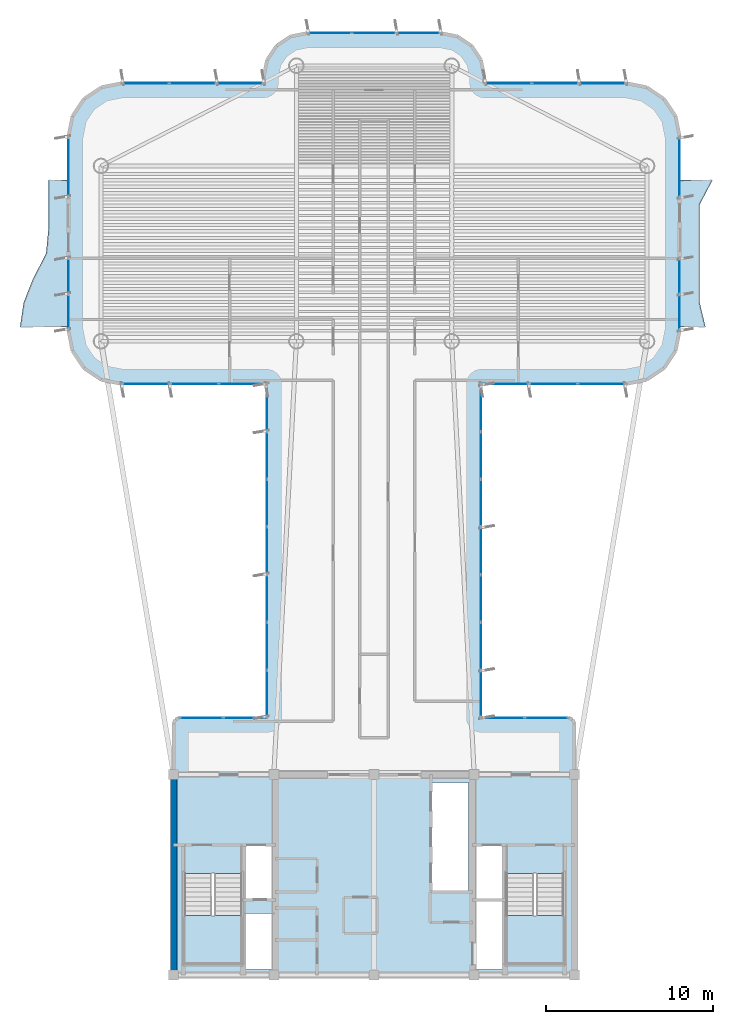
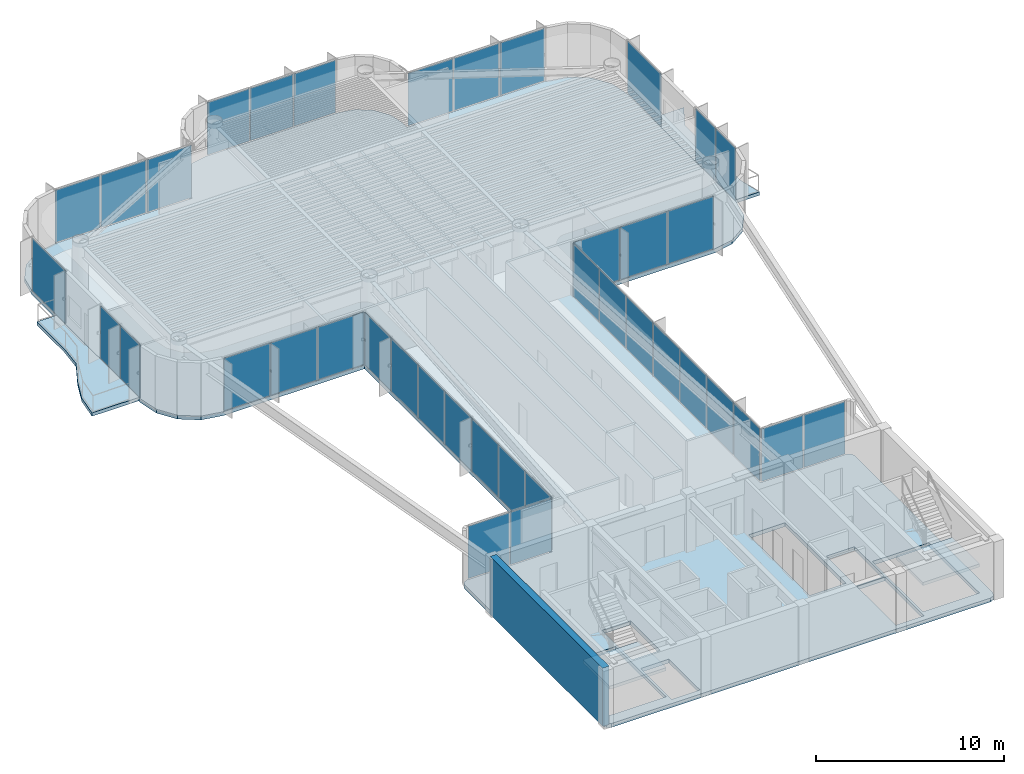
# One storey, part 9 of 15: 39 plates, 5 slabs, 1 wall, 15 elements without a shape of their own.
"""IFC4 building model written with IfcOpenShell, lengths in metres."""

from ifc_helpers import new_model, si_unit, direction, frame, frame_2d, origin, origin_2d, place, context, subcontext, project, spatial, polyline, rectangle, outline, extrude, source, transform, mapped, material, layer, layer_set, type_object, element, aggregate, save


model = new_model("IFC4")

# Units and contexts
model_context = context("Model", 3, precision=1e-05, world=origin(), true_north=direction((0.0, 1.0)))
body_context = subcontext(model_context, "Body", "Model", "MODEL_VIEW")
ifc_project = project(units=[si_unit("LENGTHUNIT", "METRE"), si_unit("AREAUNIT", "SQUARE_METRE"), si_unit("VOLUMEUNIT", "CUBIC_METRE"), si_unit("PLANEANGLEUNIT", "RADIAN"), si_unit("MASSUNIT", "GRAM", prefix="KILO")], contexts=[model_context])

# Site, building, storey
site_placement = place(None, origin())
site = spatial("IfcSite", under=ifc_project, at=site_placement, CompositionType="ELEMENT")
building_placement = place(site_placement, origin())
building = spatial("IfcBuilding", under=site, at=building_placement, Name="Brelvock Crest Care Tower", CompositionType="ELEMENT")
storey_placement = place(building_placement, frame((0.0, 0.0, 245.699951171875)))
storey = spatial("IfcBuildingStorey", under=building, at=storey_placement, Name="L62", CompositionType="ELEMENT", Elevation=245.699951171875)

# Slabs
ifc_material_1 = material(Name="Concrete N50 (50 MPa)", Category="concrete")
ifc_layer_1 = layer(ifc_material_1, 0.25, Name="SLB-FL3")
ifc_layer_set_1 = layer_set([ifc_layer_1], Name="Concrete N50 (50 MPa)")
slab_type_1 = type_object("IfcSlabType", Name="SLB-FL3", PredefinedType="FLOOR", material=ifc_layer_set_1)
slab_1_placement = place(storey_placement, frame((0.0, 0.0, -0.25)))
element("IfcSlab", 1, at=slab_1_placement, inside=storey, type_object=slab_type_1, Name="L62 Main Structural Slab", PredefinedType="FLOOR", context=body_context, shape_type="SweptSolid", body=[
    extrude(outline(polyline([(47.64990234375, 21.39990234375), (42.39990234375, 21.39990234375), (42.39990234375, 41.39990234375), (51.10009765625, 41.39990234375), (52.32470703125, 41.6435546875), (53.36279296875, 42.33740234375), (54.056396484375, 43.37548828125), (54.300048828125, 44.60009765625), (54.300048828125, 56.199951171875), (54.056396484375, 57.424560546875), (53.36279296875, 58.462646484375), (52.32470703125, 59.156494140625), (51.10009765625, 59.39990234375), (42.60009765625, 59.39990234375), (42.60009765625, 59.800048828125), (42.402099609375, 60.794921875), (41.83837890625, 61.638427734375), (40.9951171875, 62.2021484375), (40.0, 62.39990234375), (32.0, 62.39990234375), (31.0048828125, 62.2021484375), (30.16162109375, 61.638427734375), (29.597900390625, 60.794921875), (29.39990234375, 59.800048828125), (29.39990234375, 59.39990234375), (20.89990234375, 59.39990234375), (19.67529296875, 59.156494140625), (18.63720703125, 58.462646484375), (17.943603515625, 57.424560546875), (17.699951171875, 56.199951171875), (17.699951171875, 44.60009765625), (17.943603515625, 43.37548828125), (18.63720703125, 42.33740234375), (19.67529296875, 41.6435546875), (20.89990234375, 41.39990234375), (29.60009765625, 41.39990234375), (29.60009765625, 21.39990234375), (24.35009765625, 21.39990234375), (24.1025390625, 21.297607421875), (24.0, 21.050048828125), (24.0, 6.35009765625), (24.1025390625, 6.1025390625), (24.35009765625, 6.0), (47.64990234375, 6.0), (47.8974609375, 6.1025390625), (48.0, 6.35009765625), (48.0, 21.050048828125), (47.8974609375, 21.297607421875), (47.64990234375, 21.39990234375)]), holes=[polyline([(28.239990234375, 10.580078125), (29.97998046875, 10.580078125), (29.97998046875, 13.739990234375), (28.239990234375, 13.739990234375), (28.239990234375, 10.580078125)]), polyline([(42.02001953125, 10.580078125), (43.760009765625, 10.580078125), (43.760009765625, 13.739990234375), (42.02001953125, 13.739990234375), (42.02001953125, 10.580078125)]), polyline([(28.239990234375, 6.340087890625), (29.97998046875, 6.340087890625), (29.97998046875, 9.64990234375), (28.239990234375, 9.64990234375), (28.239990234375, 6.340087890625)]), polyline([(24.6298828125, 12.080078125), (24.6298828125, 6.699951171875), (28.110107421875, 6.699951171875), (28.110107421875, 12.080078125), (24.6298828125, 12.080078125)]), polyline([(43.889892578125, 12.080078125), (43.889892578125, 6.699951171875), (47.3701171875, 6.699951171875), (47.3701171875, 12.080078125), (43.889892578125, 12.080078125)]), polyline([(42.02001953125, 6.340087890625), (43.760009765625, 6.340087890625), (43.760009765625, 10.5), (42.02001953125, 10.5), (42.02001953125, 6.340087890625)]), polyline([(39.429931640625, 11.030029296875), (41.669921875, 11.030029296875), (41.669921875, 17.52001953125), (39.429931640625, 17.52001953125), (39.429931640625, 11.030029296875)])]), origin(), (0.0, 0.0, 1.0), 0.25),
])
ifc_layer_2 = layer(ifc_material_1, 0.219970703125, Name="SLB-WB1")
ifc_layer_set_2 = layer_set([ifc_layer_2], Name="Concrete N50 (50 MPa)")
slab_type_2 = type_object("IfcSlabType", Name="SLB-WB1", PredefinedType="FLOOR", material=ifc_layer_set_2)
slab_2_placement = place(storey_placement, frame((0.0, 0.0, -0.219970703125)))
element("IfcSlab", 2, at=slab_2_placement, inside=storey, type_object=slab_type_2, Name="L62 W Sinusoidal Wave Balcony Slab", PredefinedType="FLOOR", context=body_context, shape_type="SweptSolid", body=[
    extrude(outline(polyline([(17.699951171875, 53.60009765625), (16.5, 53.60009765625), (16.5, 52.13330078125), (16.5, 50.666748046875), (16.361083984375, 49.199951171875), (15.600830078125, 47.7333984375), (15.017822265625, 46.2666015625), (14.800048828125, 44.800048828125), (17.699951171875, 44.800048828125), (17.699951171875, 53.60009765625)])), origin(), (0.0, 0.0, 1.0), 0.219970703125),
])
slab_3_placement = place(storey_placement, frame((0.0, 0.0, -0.219970703125)))
element("IfcSlab", 3, at=slab_3_placement, inside=storey, type_object=slab_type_2, Name="L62 E Sinusoidal Wave Balcony Slab", PredefinedType="FLOOR", context=body_context, shape_type="SweptSolid", body=[
    extrude(outline(polyline([(54.300048828125, 44.800048828125), (55.85009765625, 44.800048828125), (55.5, 46.2666015625), (55.5, 47.7333984375), (55.5, 49.199951171875), (55.5, 50.666748046875), (55.50048828125, 52.13330078125), (56.26708984375, 53.60009765625), (54.300048828125, 53.60009765625), (54.300048828125, 44.800048828125)])), origin(), (0.0, 0.0, 1.0), 0.219970703125),
])

# Stair, slab
ifc_material_2 = material(Name="Concrete N40 (40 MPa)", Category="concrete")
stair_type = type_object("IfcStairType", Name="ST-CORE1", PredefinedType="HALF_TURN_STAIR", material=ifc_material_2)
stair_1_placement = place(storey_placement, origin())
stair_1 = element("IfcStair", 4, at=stair_1_placement, inside=storey, type_object=stair_type, Name="L62 Fire-Isolated Core Stair ST-1", PredefinedType="HALF_TURN_STAIR")
ifc_layer_3 = layer(ifc_material_2, 0.199951171875, Name="STL-1")
ifc_layer_set_3 = layer_set([ifc_layer_3], Name="Concrete N40 (40 MPa)")
slab_type_3 = type_object("IfcSlabType", Name="STL-1", PredefinedType="LANDING", material=ifc_layer_set_3)
slab_4_placement = place(storey_placement, frame((0.0, 0.0, 1.68994140625)))
slab_4 = element("IfcSlab", 5, at=slab_4_placement, type_object=slab_type_3, Name="ST-1 landing 1", PredefinedType="LANDING", context=body_context, shape_type="SweptSolid", body=[
    extrude(outline(polyline([(24.6298828125, 9.56005859375), (24.6298828125, 6.699951171875), (28.110107421875, 6.699951171875), (28.110107421875, 9.56005859375), (24.6298828125, 9.56005859375)])), origin(), (0.0, 0.0, 1.0), 0.2001953125),
])
aggregate(stair_1, [slab_4])

stair_2_placement = place(storey_placement, origin())
stair_2 = element("IfcStair", 6, at=stair_2_placement, inside=storey, type_object=stair_type, Name="L62 Fire-Isolated Core Stair ST-2", PredefinedType="HALF_TURN_STAIR")
slab_5_placement = place(storey_placement, frame((0.0, 0.0, 1.68994140625)))
slab_5 = element("IfcSlab", 7, at=slab_5_placement, type_object=slab_type_3, Name="ST-2 landing 1", PredefinedType="LANDING", context=body_context, shape_type="SweptSolid", body=[
    extrude(outline(polyline([(43.889892578125, 9.56005859375), (43.889892578125, 6.699951171875), (47.3701171875, 6.699951171875), (47.3701171875, 9.56005859375), (43.889892578125, 9.56005859375)])), origin(), (0.0, 0.0, 1.0), 0.2001953125),
])
aggregate(stair_2, [slab_5])

# Curtain wall, plates
ifc_material_3 = material(Name="Dark Glass Double Glazed Low-E", Category="glass")
ifc_layer_4 = layer(ifc_material_3, 0.239990234375, Name="CWS-5")
ifc_layer_set_4 = layer_set([ifc_layer_4], Name="Dark Glass Double Glazed Low-E")
curtain_wall_type = type_object("IfcCurtainWallType", Name="CWS-5", PredefinedType="NOTDEFINED", material=ifc_layer_set_4)
curtain_wall_1_placement = place(storey_placement, origin())
curtain_wall_1 = element("IfcCurtainWall", 8, at=curtain_wall_1_placement, inside=storey, type_object=curtain_wall_type, Name="L62 Curtain Wall E10", PredefinedType="NOTDEFINED")
ifc_layer_5 = layer(ifc_material_3, 0.0380859375, Name="CWP-V2")
ifc_layer_set_5 = layer_set([ifc_layer_5], Name="Dark Glass Double Glazed Low-E")
plate_type = type_object("IfcPlateType", Name="CWP-V2", PredefinedType="CURTAIN_PANEL", material=ifc_layer_set_5)
shared_shape_1 = source(origin(), body_context, "Body", "SweptSolid", [
    extrude(rectangle(XDim=2.534912109375, YDim=0.035888671875, at=origin_2d()), origin(), (0.0, 0.0, 1.0), 3.409912109375),
])
plate_1_placement = place(storey_placement, frame((25.677490234375, 21.39990234375, 0.06005859375), z_axis=(0.0, 0.0, 1.0), x_axis=(1.0, 0.0, 0.0)))
plate_1 = element("IfcPlate", 9, at=plate_1_placement, type_object=plate_type, Name="CW-5 panel 1.1", PredefinedType="CURTAIN_PANEL", context=body_context, shape_type="MappedRepresentation", body=[
    mapped(shared_shape_1, transform((0.0, 0.0, 0.0), x_axis=(1.0, 0.0, 0.0), y_axis=(0.0, 1.0, 0.0), z_axis=(0.0, 0.0, 1.0), scale=1.0)),
])
plate_2_placement = place(storey_placement, frame((28.2724609375, 21.39990234375, 0.06005859375), z_axis=(0.0, 0.0, 1.0), x_axis=(1.0, 0.0, 0.0)))
plate_2 = element("IfcPlate", 10, at=plate_2_placement, type_object=plate_type, Name="CW-5 panel 2.1", PredefinedType="CURTAIN_PANEL", context=body_context, shape_type="MappedRepresentation", body=[
    mapped(shared_shape_1, transform((0.0, 0.0, 0.0), x_axis=(1.0, 0.0, 0.0), y_axis=(0.0, 1.0, 0.0), z_axis=(0.0, 0.0, 1.0), scale=1.0)),
])
aggregate(curtain_wall_1, [plate_1, plate_2])

curtain_wall_2_placement = place(storey_placement, origin())
curtain_wall_2 = element("IfcCurtainWall", 11, at=curtain_wall_2_placement, inside=storey, type_object=curtain_wall_type, Name="L62 Curtain Wall E46", PredefinedType="NOTDEFINED")
plate_3_placement = place(storey_placement, frame((43.7275390625, 21.39990234375, 0.06005859375), z_axis=(0.0, 0.0, 1.0), x_axis=(1.0, 0.0, 0.0)))
plate_3 = element("IfcPlate", 12, at=plate_3_placement, type_object=plate_type, Name="CW-5 panel 1.1", PredefinedType="CURTAIN_PANEL", context=body_context, shape_type="MappedRepresentation", body=[
    mapped(shared_shape_1, transform((0.0, 0.0, 0.0), x_axis=(1.0, 0.0, 0.0), y_axis=(0.0, 1.0, 0.0), z_axis=(0.0, 0.0, 1.0), scale=1.0)),
])
plate_4_placement = place(storey_placement, frame((46.322509765625, 21.39990234375, 0.06005859375), z_axis=(0.0, 0.0, 1.0), x_axis=(1.0, 0.0, 0.0)))
plate_4 = element("IfcPlate", 13, at=plate_4_placement, type_object=plate_type, Name="CW-5 panel 2.1", PredefinedType="CURTAIN_PANEL", context=body_context, shape_type="MappedRepresentation", body=[
    mapped(shared_shape_1, transform((0.0, 0.0, 0.0), x_axis=(1.0, 0.0, 0.0), y_axis=(0.0, 1.0, 0.0), z_axis=(0.0, 0.0, 1.0), scale=1.0)),
])
aggregate(curtain_wall_2, [plate_3, plate_4])

curtain_wall_3_placement = place(storey_placement, origin())
curtain_wall_3 = element("IfcCurtainWall", 14, at=curtain_wall_3_placement, inside=storey, type_object=curtain_wall_type, Name="L62 Curtain Wall E11", PredefinedType="NOTDEFINED")
shared_shape_2 = source(origin(), body_context, "Body", "SweptSolid", [
    extrude(rectangle(XDim=2.76708984375, YDim=0.035888671875, at=origin_2d()), origin(), (0.0, 0.0, 1.0), 3.409912109375),
])
plate_5_placement = place(storey_placement, frame((29.60009765625, 22.843505859375, 0.06005859375), z_axis=(0.0, 0.0, 1.0), x_axis=(0.0, 1.0, 0.0)))
plate_5 = element("IfcPlate", 15, at=plate_5_placement, type_object=plate_type, Name="CW-5 panel 1.1", PredefinedType="CURTAIN_PANEL", context=body_context, shape_type="MappedRepresentation", body=[
    mapped(shared_shape_2, transform((0.0, 0.0, 0.0), x_axis=(1.0, 0.0, 0.0), y_axis=(0.0, 1.0, 0.0), z_axis=(0.0, 0.0, 1.0), scale=1.0)),
])
plate_6_placement = place(storey_placement, frame((29.60009765625, 39.95654296875, 0.06005859375), z_axis=(0.0, 0.0, 1.0), x_axis=(0.0, 1.0, 0.0)))
plate_6 = element("IfcPlate", 16, at=plate_6_placement, type_object=plate_type, Name="CW-5 panel 7.1", PredefinedType="CURTAIN_PANEL", context=body_context, shape_type="MappedRepresentation", body=[
    mapped(shared_shape_2, transform((0.0, 0.0, 0.0), x_axis=(1.0, 0.0, 0.0), y_axis=(0.0, 1.0, 0.0), z_axis=(0.0, 0.0, 1.0), scale=1.0)),
])

curtain_wall_4_placement = place(storey_placement, origin())
curtain_wall_4 = element("IfcCurtainWall", 17, at=curtain_wall_4_placement, inside=storey, type_object=curtain_wall_type, Name="L62 Curtain Wall E45", PredefinedType="NOTDEFINED")
plate_7_placement = place(storey_placement, frame((42.39990234375, 39.95654296875, 0.06005859375), z_axis=(0.0, 0.0, 1.0), x_axis=(0.0, -1.0, 0.0)))
plate_7 = element("IfcPlate", 18, at=plate_7_placement, type_object=plate_type, Name="CW-5 panel 1.1", PredefinedType="CURTAIN_PANEL", context=body_context, shape_type="MappedRepresentation", body=[
    mapped(shared_shape_2, transform((0.0, 0.0, 0.0), x_axis=(1.0, 0.0, 0.0), y_axis=(0.0, 1.0, 0.0), z_axis=(0.0, 0.0, 1.0), scale=1.0)),
])
plate_8_placement = place(storey_placement, frame((42.39990234375, 22.843505859375, 0.06005859375), z_axis=(0.0, 0.0, 1.0), x_axis=(0.0, -1.0, 0.0)))
plate_8 = element("IfcPlate", 19, at=plate_8_placement, type_object=plate_type, Name="CW-5 panel 7.1", PredefinedType="CURTAIN_PANEL", context=body_context, shape_type="MappedRepresentation", body=[
    mapped(shared_shape_2, transform((0.0, 0.0, 0.0), x_axis=(1.0, 0.0, 0.0), y_axis=(0.0, 1.0, 0.0), z_axis=(0.0, 0.0, 1.0), scale=1.0)),
])

# Plate
shared_shape_3 = source(origin(), body_context, "Body", "SweptSolid", [
    extrude(rectangle(XDim=2.797119140625, YDim=0.035888671875, at=origin_2d()), origin(), (0.0, 0.0, 1.0), 3.409912109375),
])
plate_9_placement = place(storey_placement, frame((29.60009765625, 25.685791015625, 0.06005859375), z_axis=(0.0, 0.0, 1.0), x_axis=(0.0, 1.0, 0.0)))
plate_9 = element("IfcPlate", 20, at=plate_9_placement, type_object=plate_type, Name="CW-5 panel 2.1", PredefinedType="CURTAIN_PANEL", context=body_context, shape_type="MappedRepresentation", body=[
    mapped(shared_shape_3, transform((0.0, 0.0, 0.0), x_axis=(1.0, 0.0, 0.0), y_axis=(0.0, 1.0, 0.0), z_axis=(0.0, 0.0, 1.0), scale=1.0)),
])

plate_10_placement = place(storey_placement, frame((29.60009765625, 28.54296875, 0.06005859375), z_axis=(0.0, 0.0, 1.0), x_axis=(0.0, 1.0, 0.0)))
plate_10 = element("IfcPlate", 21, at=plate_10_placement, type_object=plate_type, Name="CW-5 panel 3.1", PredefinedType="CURTAIN_PANEL", context=body_context, shape_type="MappedRepresentation", body=[
    mapped(shared_shape_3, transform((0.0, 0.0, 0.0), x_axis=(1.0, 0.0, 0.0), y_axis=(0.0, 1.0, 0.0), z_axis=(0.0, 0.0, 1.0), scale=1.0)),
])

plate_11_placement = place(storey_placement, frame((29.60009765625, 31.39990234375, 0.06005859375), z_axis=(0.0, 0.0, 1.0), x_axis=(0.0, 1.0, 0.0)))
plate_11 = element("IfcPlate", 22, at=plate_11_placement, type_object=plate_type, Name="CW-5 panel 4.1", PredefinedType="CURTAIN_PANEL", context=body_context, shape_type="MappedRepresentation", body=[
    mapped(shared_shape_3, transform((0.0, 0.0, 0.0), x_axis=(1.0, 0.0, 0.0), y_axis=(0.0, 1.0, 0.0), z_axis=(0.0, 0.0, 1.0), scale=1.0)),
])

plate_12_placement = place(storey_placement, frame((29.60009765625, 34.257080078125, 0.06005859375), z_axis=(0.0, 0.0, 1.0), x_axis=(0.0, 1.0, 0.0)))
plate_12 = element("IfcPlate", 23, at=plate_12_placement, type_object=plate_type, Name="CW-5 panel 5.1", PredefinedType="CURTAIN_PANEL", context=body_context, shape_type="MappedRepresentation", body=[
    mapped(shared_shape_3, transform((0.0, 0.0, 0.0), x_axis=(1.0, 0.0, 0.0), y_axis=(0.0, 1.0, 0.0), z_axis=(0.0, 0.0, 1.0), scale=1.0)),
])

plate_13_placement = place(storey_placement, frame((29.60009765625, 37.1142578125, 0.06005859375), z_axis=(0.0, 0.0, 1.0), x_axis=(0.0, 1.0, 0.0)))
plate_13 = element("IfcPlate", 24, at=plate_13_placement, type_object=plate_type, Name="CW-5 panel 6.1", PredefinedType="CURTAIN_PANEL", context=body_context, shape_type="MappedRepresentation", body=[
    mapped(shared_shape_3, transform((0.0, 0.0, 0.0), x_axis=(1.0, 0.0, 0.0), y_axis=(0.0, 1.0, 0.0), z_axis=(0.0, 0.0, 1.0), scale=1.0)),
])

aggregate(curtain_wall_3, [plate_5, plate_9, plate_10, plate_11, plate_12, plate_13, plate_6])

plate_14_placement = place(storey_placement, frame((42.39990234375, 37.1142578125, 0.06005859375), z_axis=(0.0, 0.0, 1.0), x_axis=(0.0, -1.0, 0.0)))
plate_14 = element("IfcPlate", 25, at=plate_14_placement, type_object=plate_type, Name="CW-5 panel 2.1", PredefinedType="CURTAIN_PANEL", context=body_context, shape_type="MappedRepresentation", body=[
    mapped(shared_shape_3, transform((0.0, 0.0, 0.0), x_axis=(1.0, 0.0, 0.0), y_axis=(0.0, 1.0, 0.0), z_axis=(0.0, 0.0, 1.0), scale=1.0)),
])

plate_15_placement = place(storey_placement, frame((42.39990234375, 34.257080078125, 0.06005859375), z_axis=(0.0, 0.0, 1.0), x_axis=(0.0, -1.0, 0.0)))
plate_15 = element("IfcPlate", 26, at=plate_15_placement, type_object=plate_type, Name="CW-5 panel 3.1", PredefinedType="CURTAIN_PANEL", context=body_context, shape_type="MappedRepresentation", body=[
    mapped(shared_shape_3, transform((0.0, 0.0, 0.0), x_axis=(1.0, 0.0, 0.0), y_axis=(0.0, 1.0, 0.0), z_axis=(0.0, 0.0, 1.0), scale=1.0)),
])

plate_16_placement = place(storey_placement, frame((42.39990234375, 31.39990234375, 0.06005859375), z_axis=(0.0, 0.0, 1.0), x_axis=(0.0, -1.0, 0.0)))
plate_16 = element("IfcPlate", 27, at=plate_16_placement, type_object=plate_type, Name="CW-5 panel 4.1", PredefinedType="CURTAIN_PANEL", context=body_context, shape_type="MappedRepresentation", body=[
    mapped(shared_shape_3, transform((0.0, 0.0, 0.0), x_axis=(1.0, 0.0, 0.0), y_axis=(0.0, 1.0, 0.0), z_axis=(0.0, 0.0, 1.0), scale=1.0)),
])

plate_17_placement = place(storey_placement, frame((42.39990234375, 28.54296875, 0.06005859375), z_axis=(0.0, 0.0, 1.0), x_axis=(0.0, -1.0, 0.0)))
plate_17 = element("IfcPlate", 28, at=plate_17_placement, type_object=plate_type, Name="CW-5 panel 5.1", PredefinedType="CURTAIN_PANEL", context=body_context, shape_type="MappedRepresentation", body=[
    mapped(shared_shape_3, transform((0.0, 0.0, 0.0), x_axis=(1.0, 0.0, 0.0), y_axis=(0.0, 1.0, 0.0), z_axis=(0.0, 0.0, 1.0), scale=1.0)),
])

plate_18_placement = place(storey_placement, frame((42.39990234375, 25.685791015625, 0.06005859375), z_axis=(0.0, 0.0, 1.0), x_axis=(0.0, -1.0, 0.0)))
plate_18 = element("IfcPlate", 29, at=plate_18_placement, type_object=plate_type, Name="CW-5 panel 6.1", PredefinedType="CURTAIN_PANEL", context=body_context, shape_type="MappedRepresentation", body=[
    mapped(shared_shape_3, transform((0.0, 0.0, 0.0), x_axis=(1.0, 0.0, 0.0), y_axis=(0.0, 1.0, 0.0), z_axis=(0.0, 0.0, 1.0), scale=1.0)),
])

aggregate(curtain_wall_4, [plate_7, plate_14, plate_15, plate_16, plate_17, plate_18, plate_8])

# Curtain wall, plates
curtain_wall_5_placement = place(storey_placement, origin())
curtain_wall_5 = element("IfcCurtainWall", 30, at=curtain_wall_5_placement, inside=storey, type_object=curtain_wall_type, Name="L62 Curtain Wall E12", PredefinedType="NOTDEFINED")
shared_shape_4 = source(origin(), body_context, "Body", "SweptSolid", [
    extrude(rectangle(XDim=2.81005859375, YDim=0.035888671875, at=origin_2d()), origin(), (0.0, 0.0, 1.0), 3.409912109375),
])
plate_19_placement = place(storey_placement, frame((28.135009765625, 41.39990234375, 0.06005859375), z_axis=(0.0, 0.0, 1.0), x_axis=(-1.0, 0.0, 0.0)))
plate_19 = element("IfcPlate", 31, at=plate_19_placement, type_object=plate_type, Name="CW-5 panel 1.1", PredefinedType="CURTAIN_PANEL", context=body_context, shape_type="MappedRepresentation", body=[
    mapped(shared_shape_4, transform((0.0, 0.0, 0.0), x_axis=(1.0, 0.0, 0.0), y_axis=(0.0, 1.0, 0.0), z_axis=(0.0, 0.0, 1.0), scale=1.0)),
])
plate_20_placement = place(storey_placement, frame((22.364990234375, 41.39990234375, 0.06005859375), z_axis=(0.0, 0.0, 1.0), x_axis=(-1.0, 0.0, 0.0)))
plate_20 = element("IfcPlate", 32, at=plate_20_placement, type_object=plate_type, Name="CW-5 panel 3.1", PredefinedType="CURTAIN_PANEL", context=body_context, shape_type="MappedRepresentation", body=[
    mapped(shared_shape_4, transform((0.0, 0.0, 0.0), x_axis=(1.0, 0.0, 0.0), y_axis=(0.0, 1.0, 0.0), z_axis=(0.0, 0.0, 1.0), scale=1.0)),
])

curtain_wall_6_placement = place(storey_placement, origin())
curtain_wall_6 = element("IfcCurtainWall", 33, at=curtain_wall_6_placement, inside=storey, type_object=curtain_wall_type, Name="L62 Curtain Wall E44", PredefinedType="NOTDEFINED")
plate_21_placement = place(storey_placement, frame((49.635009765625, 41.39990234375, 0.06005859375), z_axis=(0.0, 0.0, 1.0), x_axis=(-1.0, 0.0, 0.0)))
plate_21 = element("IfcPlate", 34, at=plate_21_placement, type_object=plate_type, Name="CW-5 panel 1.1", PredefinedType="CURTAIN_PANEL", context=body_context, shape_type="MappedRepresentation", body=[
    mapped(shared_shape_4, transform((0.0, 0.0, 0.0), x_axis=(1.0, 0.0, 0.0), y_axis=(0.0, 1.0, 0.0), z_axis=(0.0, 0.0, 1.0), scale=1.0)),
])
plate_22_placement = place(storey_placement, frame((43.864990234375, 41.39990234375, 0.06005859375), z_axis=(0.0, 0.0, 1.0), x_axis=(-1.0, 0.0, 0.0)))
plate_22 = element("IfcPlate", 35, at=plate_22_placement, type_object=plate_type, Name="CW-5 panel 3.1", PredefinedType="CURTAIN_PANEL", context=body_context, shape_type="MappedRepresentation", body=[
    mapped(shared_shape_4, transform((0.0, 0.0, 0.0), x_axis=(1.0, 0.0, 0.0), y_axis=(0.0, 1.0, 0.0), z_axis=(0.0, 0.0, 1.0), scale=1.0)),
])

# Plate
shared_shape_5 = source(origin(), body_context, "Body", "SweptSolid", [
    extrude(rectangle(XDim=2.840087890625, YDim=0.035888671875, at=origin_2d()), origin(), (0.0, 0.0, 1.0), 3.409912109375),
])
plate_23_placement = place(storey_placement, frame((25.25, 41.39990234375, 0.06005859375), z_axis=(0.0, 0.0, 1.0), x_axis=(-1.0, 0.0, 0.0)))
plate_23 = element("IfcPlate", 36, at=plate_23_placement, type_object=plate_type, Name="CW-5 panel 2.1", PredefinedType="CURTAIN_PANEL", context=body_context, shape_type="MappedRepresentation", body=[
    mapped(shared_shape_5, transform((0.0, 0.0, 0.0), x_axis=(1.0, 0.0, 0.0), y_axis=(0.0, 1.0, 0.0), z_axis=(0.0, 0.0, 1.0), scale=1.0)),
])

aggregate(curtain_wall_5, [plate_19, plate_23, plate_20])

plate_24_placement = place(storey_placement, frame((46.75, 41.39990234375, 0.06005859375), z_axis=(0.0, 0.0, 1.0), x_axis=(-1.0, 0.0, 0.0)))
plate_24 = element("IfcPlate", 37, at=plate_24_placement, type_object=plate_type, Name="CW-5 panel 2.1", PredefinedType="CURTAIN_PANEL", context=body_context, shape_type="MappedRepresentation", body=[
    mapped(shared_shape_5, transform((0.0, 0.0, 0.0), x_axis=(1.0, 0.0, 0.0), y_axis=(0.0, 1.0, 0.0), z_axis=(0.0, 0.0, 1.0), scale=1.0)),
])

aggregate(curtain_wall_6, [plate_21, plate_24, plate_22])

# Curtain wall, plates
curtain_wall_7_placement = place(storey_placement, origin())
curtain_wall_7 = element("IfcCurtainWall", 38, at=curtain_wall_7_placement, inside=storey, type_object=curtain_wall_type, Name="L62 Curtain Wall E22", PredefinedType="NOTDEFINED")
shared_shape_6 = source(origin(), body_context, "Body", "SweptSolid", [
    extrude(rectangle(XDim=2.743408203125, YDim=0.035888671875, at=origin_2d()), origin(), (0.0, 0.0, 1.0), 3.409912109375),
])
plate_25_placement = place(storey_placement, frame((22.331787109375, 59.39990234375, 0.06005859375), z_axis=(0.0, 0.0, 1.0), x_axis=(1.0, 0.0, 0.0)))
plate_25 = element("IfcPlate", 39, at=plate_25_placement, type_object=plate_type, Name="CW-5 panel 1.1", PredefinedType="CURTAIN_PANEL", context=body_context, shape_type="MappedRepresentation", body=[
    mapped(shared_shape_6, transform((0.0, 0.0, 0.0), x_axis=(1.0, 0.0, 0.0), y_axis=(0.0, 1.0, 0.0), z_axis=(0.0, 0.0, 1.0), scale=1.0)),
])
plate_26_placement = place(storey_placement, frame((27.96826171875, 59.39990234375, 0.06005859375), z_axis=(0.0, 0.0, 1.0), x_axis=(1.0, 0.0, 0.0)))
plate_26 = element("IfcPlate", 40, at=plate_26_placement, type_object=plate_type, Name="CW-5 panel 3.1", PredefinedType="CURTAIN_PANEL", context=body_context, shape_type="MappedRepresentation", body=[
    mapped(shared_shape_6, transform((0.0, 0.0, 0.0), x_axis=(1.0, 0.0, 0.0), y_axis=(0.0, 1.0, 0.0), z_axis=(0.0, 0.0, 1.0), scale=1.0)),
])

curtain_wall_8_placement = place(storey_placement, origin())
curtain_wall_8 = element("IfcCurtainWall", 41, at=curtain_wall_8_placement, inside=storey, type_object=curtain_wall_type, Name="L62 Curtain Wall E34", PredefinedType="NOTDEFINED")
plate_27_placement = place(storey_placement, frame((44.03173828125, 59.39990234375, 0.06005859375), z_axis=(0.0, 0.0, 1.0), x_axis=(1.0, 0.0, 0.0)))
plate_27 = element("IfcPlate", 42, at=plate_27_placement, type_object=plate_type, Name="CW-5 panel 1.1", PredefinedType="CURTAIN_PANEL", context=body_context, shape_type="MappedRepresentation", body=[
    mapped(shared_shape_6, transform((0.0, 0.0, 0.0), x_axis=(1.0, 0.0, 0.0), y_axis=(0.0, 1.0, 0.0), z_axis=(0.0, 0.0, 1.0), scale=1.0)),
])
plate_28_placement = place(storey_placement, frame((49.668212890625, 59.39990234375, 0.06005859375), z_axis=(0.0, 0.0, 1.0), x_axis=(1.0, 0.0, 0.0)))
plate_28 = element("IfcPlate", 43, at=plate_28_placement, type_object=plate_type, Name="CW-5 panel 3.1", PredefinedType="CURTAIN_PANEL", context=body_context, shape_type="MappedRepresentation", body=[
    mapped(shared_shape_6, transform((0.0, 0.0, 0.0), x_axis=(1.0, 0.0, 0.0), y_axis=(0.0, 1.0, 0.0), z_axis=(0.0, 0.0, 1.0), scale=1.0)),
])

# Plate
shared_shape_7 = source(origin(), body_context, "Body", "SweptSolid", [
    extrude(rectangle(XDim=2.7734375, YDim=0.035888671875, at=origin_2d()), origin(), (0.0, 0.0, 1.0), 3.409912109375),
])
plate_29_placement = place(storey_placement, frame((25.14990234375, 59.39990234375, 0.06005859375), z_axis=(0.0, 0.0, 1.0), x_axis=(1.0, 0.0, 0.0)))
plate_29 = element("IfcPlate", 44, at=plate_29_placement, type_object=plate_type, Name="CW-5 panel 2.1", PredefinedType="CURTAIN_PANEL", context=body_context, shape_type="MappedRepresentation", body=[
    mapped(shared_shape_7, transform((0.0, 0.0, 0.0), x_axis=(1.0, 0.0, 0.0), y_axis=(0.0, 1.0, 0.0), z_axis=(0.0, 0.0, 1.0), scale=1.0)),
])

aggregate(curtain_wall_7, [plate_25, plate_29, plate_26])

plate_30_placement = place(storey_placement, frame((46.85009765625, 59.39990234375, 0.06005859375), z_axis=(0.0, 0.0, 1.0), x_axis=(1.0, 0.0, 0.0)))
plate_30 = element("IfcPlate", 45, at=plate_30_placement, type_object=plate_type, Name="CW-5 panel 2.1", PredefinedType="CURTAIN_PANEL", context=body_context, shape_type="MappedRepresentation", body=[
    mapped(shared_shape_7, transform((0.0, 0.0, 0.0), x_axis=(1.0, 0.0, 0.0), y_axis=(0.0, 1.0, 0.0), z_axis=(0.0, 0.0, 1.0), scale=1.0)),
])

aggregate(curtain_wall_8, [plate_27, plate_30, plate_28])

# Curtain wall, plates
curtain_wall_9_placement = place(storey_placement, origin())
curtain_wall_9 = element("IfcCurtainWall", 46, at=curtain_wall_9_placement, inside=storey, type_object=curtain_wall_type, Name="L62 Curtain Wall E28", PredefinedType="NOTDEFINED")
shared_shape_8 = source(origin(), body_context, "Body", "SweptSolid", [
    extrude(rectangle(XDim=2.57666015625, YDim=0.035888671875, at=origin_2d()), origin(), (0.0, 0.0, 1.0), 3.409912109375),
])
plate_31_placement = place(storey_placement, frame((33.348388671875, 62.39990234375, 0.06005859375), z_axis=(0.0, 0.0, 1.0), x_axis=(1.0, 0.0, 0.0)))
plate_31 = element("IfcPlate", 47, at=plate_31_placement, type_object=plate_type, Name="CW-5 panel 1.1", PredefinedType="CURTAIN_PANEL", context=body_context, shape_type="MappedRepresentation", body=[
    mapped(shared_shape_8, transform((0.0, 0.0, 0.0), x_axis=(1.0, 0.0, 0.0), y_axis=(0.0, 1.0, 0.0), z_axis=(0.0, 0.0, 1.0), scale=1.0)),
])
plate_32_placement = place(storey_placement, frame((38.651611328125, 62.39990234375, 0.06005859375), z_axis=(0.0, 0.0, 1.0), x_axis=(1.0, 0.0, 0.0)))
plate_32 = element("IfcPlate", 48, at=plate_32_placement, type_object=plate_type, Name="CW-5 panel 3.1", PredefinedType="CURTAIN_PANEL", context=body_context, shape_type="MappedRepresentation", body=[
    mapped(shared_shape_8, transform((0.0, 0.0, 0.0), x_axis=(1.0, 0.0, 0.0), y_axis=(0.0, 1.0, 0.0), z_axis=(0.0, 0.0, 1.0), scale=1.0)),
])
shared_shape_9 = source(origin(), body_context, "Body", "SweptSolid", [
    extrude(rectangle(XDim=2.606689453125, YDim=0.035888671875, at=origin_2d()), origin(), (0.0, 0.0, 1.0), 3.409912109375),
])
plate_33_placement = place(storey_placement, frame((36.0, 62.39990234375, 0.06005859375), z_axis=(0.0, 0.0, 1.0), x_axis=(1.0, 0.0, 0.0)))
plate_33 = element("IfcPlate", 49, at=plate_33_placement, type_object=plate_type, Name="CW-5 panel 2.1", PredefinedType="CURTAIN_PANEL", context=body_context, shape_type="MappedRepresentation", body=[
    mapped(shared_shape_9, transform((0.0, 0.0, 0.0), x_axis=(1.0, 0.0, 0.0), y_axis=(0.0, 1.0, 0.0), z_axis=(0.0, 0.0, 1.0), scale=1.0)),
])
aggregate(curtain_wall_9, [plate_31, plate_33, plate_32])

curtain_wall_10_placement = place(storey_placement, origin())
curtain_wall_10 = element("IfcCurtainWall", 50, at=curtain_wall_10_placement, inside=storey, type_object=curtain_wall_type, Name="L62 Curtain Wall E17A", PredefinedType="NOTDEFINED")
shared_shape_10 = source(origin(), body_context, "Body", "SweptSolid", [
    extrude(rectangle(XDim=2.0849609375, YDim=0.035888671875, at=origin_2d()), origin(), (0.0, 0.0, 1.0), 3.409912109375),
])
plate_34_placement = place(storey_placement, frame((17.699951171875, 45.702392578125, 0.06005859375), z_axis=(0.0, 0.0, 1.0), x_axis=(0.0, 1.0, 0.0)))
plate_34 = element("IfcPlate", 51, at=plate_34_placement, type_object=plate_type, Name="CW-5 panel 1.1", PredefinedType="CURTAIN_PANEL", context=body_context, shape_type="MappedRepresentation", body=[
    mapped(shared_shape_10, transform((0.0, 0.0, 0.0), x_axis=(1.0, 0.0, 0.0), y_axis=(0.0, 1.0, 0.0), z_axis=(0.0, 0.0, 1.0), scale=1.0)),
])
plate_35_placement = place(storey_placement, frame((17.699951171875, 47.847412109375, 0.06005859375), z_axis=(0.0, 0.0, 1.0), x_axis=(0.0, 1.0, 0.0)))
plate_35 = element("IfcPlate", 52, at=plate_35_placement, type_object=plate_type, Name="CW-5 panel 2.1", PredefinedType="CURTAIN_PANEL", context=body_context, shape_type="MappedRepresentation", body=[
    mapped(shared_shape_10, transform((0.0, 0.0, 0.0), x_axis=(1.0, 0.0, 0.0), y_axis=(0.0, 1.0, 0.0), z_axis=(0.0, 0.0, 1.0), scale=1.0)),
])
aggregate(curtain_wall_10, [plate_34, plate_35])

curtain_wall_11_placement = place(storey_placement, origin())
curtain_wall_11 = element("IfcCurtainWall", 53, at=curtain_wall_11_placement, inside=storey, type_object=curtain_wall_type, Name="L62 Curtain Wall E39B", PredefinedType="NOTDEFINED")
plate_36_placement = place(storey_placement, frame((54.300048828125, 47.847412109375, 0.06005859375), z_axis=(0.0, 0.0, 1.0), x_axis=(0.0, -1.0, 0.0)))
plate_36 = element("IfcPlate", 54, at=plate_36_placement, type_object=plate_type, Name="CW-5 panel 1.1", PredefinedType="CURTAIN_PANEL", context=body_context, shape_type="MappedRepresentation", body=[
    mapped(shared_shape_10, transform((0.0, 0.0, 0.0), x_axis=(1.0, 0.0, 0.0), y_axis=(0.0, 1.0, 0.0), z_axis=(0.0, 0.0, 1.0), scale=1.0)),
])
plate_37_placement = place(storey_placement, frame((54.300048828125, 45.702392578125, 0.06005859375), z_axis=(0.0, 0.0, 1.0), x_axis=(0.0, -1.0, 0.0)))
plate_37 = element("IfcPlate", 55, at=plate_37_placement, type_object=plate_type, Name="CW-5 panel 2.1", PredefinedType="CURTAIN_PANEL", context=body_context, shape_type="MappedRepresentation", body=[
    mapped(shared_shape_10, transform((0.0, 0.0, 0.0), x_axis=(1.0, 0.0, 0.0), y_axis=(0.0, 1.0, 0.0), z_axis=(0.0, 0.0, 1.0), scale=1.0)),
])
aggregate(curtain_wall_11, [plate_36, plate_37])

# Curtain wall, plate
curtain_wall_12_placement = place(storey_placement, origin())
curtain_wall_12 = element("IfcCurtainWall", 56, at=curtain_wall_12_placement, inside=storey, type_object=curtain_wall_type, Name="L62 Curtain Wall E17B", PredefinedType="NOTDEFINED")
shared_shape_11 = source(origin(), body_context, "Body", "SweptSolid", [
    extrude(rectangle(XDim=3.530029296875, YDim=0.035888671875, at=origin_2d()), origin(), (0.0, 0.0, 1.0), 3.409912109375),
])
plate_38_placement = place(storey_placement, frame((17.699951171875, 54.375, 0.06005859375), z_axis=(0.0, 0.0, 1.0), x_axis=(0.0, 1.0, 0.0)))
plate_38 = element("IfcPlate", 57, at=plate_38_placement, type_object=plate_type, Name="CW-5 panel 1.1", PredefinedType="CURTAIN_PANEL", context=body_context, shape_type="MappedRepresentation", body=[
    mapped(shared_shape_11, transform((0.0, 0.0, 0.0), x_axis=(1.0, 0.0, 0.0), y_axis=(0.0, 1.0, 0.0), z_axis=(0.0, 0.0, 1.0), scale=1.0)),
])
aggregate(curtain_wall_12, [plate_38])

curtain_wall_13_placement = place(storey_placement, origin())
curtain_wall_13 = element("IfcCurtainWall", 58, at=curtain_wall_13_placement, inside=storey, type_object=curtain_wall_type, Name="L62 Curtain Wall E39A", PredefinedType="NOTDEFINED")
plate_39_placement = place(storey_placement, frame((54.300048828125, 54.375, 0.06005859375), z_axis=(0.0, 0.0, 1.0), x_axis=(0.0, -1.0, 0.0)))
plate_39 = element("IfcPlate", 59, at=plate_39_placement, type_object=plate_type, Name="CW-5 panel 1.1", PredefinedType="CURTAIN_PANEL", context=body_context, shape_type="MappedRepresentation", body=[
    mapped(shared_shape_11, transform((0.0, 0.0, 0.0), x_axis=(1.0, 0.0, 0.0), y_axis=(0.0, 1.0, 0.0), z_axis=(0.0, 0.0, 1.0), scale=1.0)),
])
aggregate(curtain_wall_13, [plate_39])

# Wall
ifc_material_4 = material(Name="Concrete S65 (65 MPa)", Category="concrete")
ifc_layer_6 = layer(ifc_material_4, 0.39990234375, Name="WL-CS4")
ifc_layer_set_6 = layer_set([ifc_layer_6], Name="Concrete S65 (65 MPa)")
wall_type = type_object("IfcWallType", Name="WL-CS4", PredefinedType="SHEAR", material=ifc_layer_set_6)
wall_placement = place(storey_placement, frame((24.0, 6.0, 0.0), z_axis=(0.0, 0.0, 1.0), x_axis=(0.0, 1.0, 0.0)))
element("IfcWall", 60, at=wall_placement, inside=storey, type_object=wall_type, Name="L62 Core West Shear Wall", PredefinedType="SHEAR", context=body_context, shape_type="SweptSolid", body=[
    extrude(rectangle(XDim=12.0, YDim=0.39990234375, at=frame_2d((6.0, 0.0))), origin(), (0.0, 0.0, 1.0), 3.780029296875),
])

save(model, "model.ifc")
